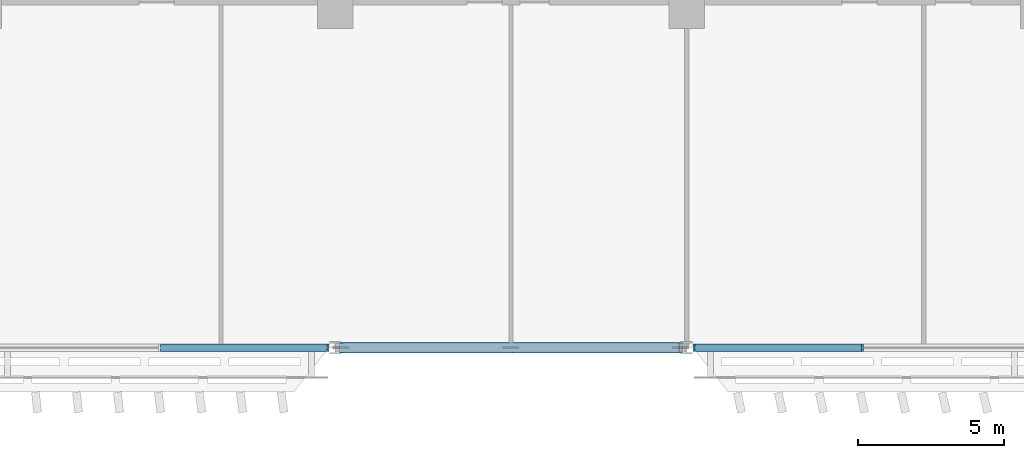
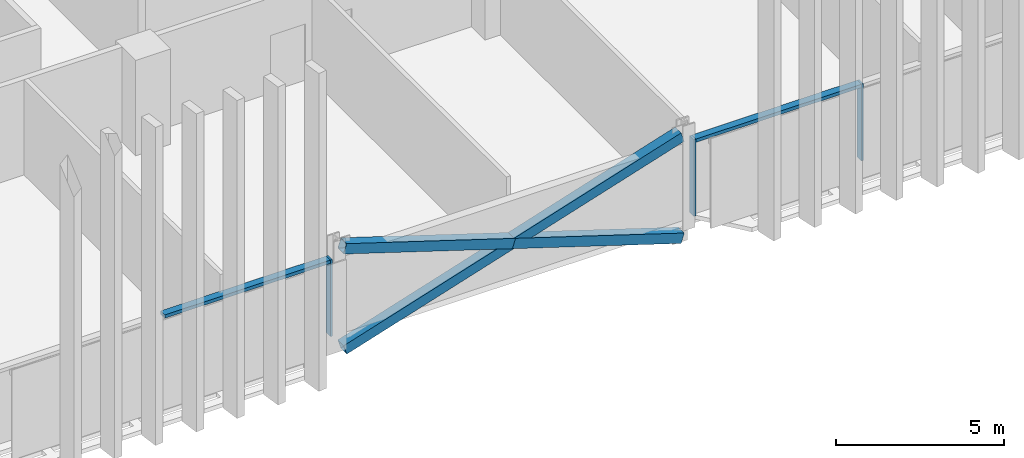
# One storey, part 4 of 30: 8 members, 2 elements without a shape of their own.
"""IFC4 building model written with IfcOpenShell, lengths in metres."""

from ifc_helpers import new_model, si_unit, direction, frame, origin, origin_2d, place, context, subcontext, project, spatial, rectangle, hollow_rectangle, extrude, material, material_profile, profile_set, type_object, element, aggregate, save


model = new_model("IFC4")

# Units and contexts
model_context = context("Model", 3, precision=1e-05, world=origin(), true_north=direction((0.0, 1.0)))
body_context = subcontext(model_context, "Body", "Model", "MODEL_VIEW")
ifc_project = project(units=[si_unit("LENGTHUNIT", "METRE"), si_unit("AREAUNIT", "SQUARE_METRE"), si_unit("VOLUMEUNIT", "CUBIC_METRE"), si_unit("PLANEANGLEUNIT", "RADIAN"), si_unit("MASSUNIT", "GRAM", prefix="KILO")], contexts=[model_context])

# Site, building, storey
site_placement = place(None, origin())
site = spatial("IfcSite", under=ifc_project, at=site_placement, CompositionType="ELEMENT")
building_placement = place(site_placement, origin())
building = spatial("IfcBuilding", under=site, at=building_placement, Name="Mahtab Terrace Research Tower", CompositionType="ELEMENT")
storey_placement = place(building_placement, frame((0.0, 0.0, 159.199951171875)))
storey = spatial("IfcBuildingStorey", under=building, at=storey_placement, Name="L37", CompositionType="ELEMENT", Elevation=159.199951171875)

# Members
ifc_material_1 = material(Name="Steel ASTM A500 Gr C", Category="steel")
ifc_material_profile_1 = material_profile(ifc_material_1, hollow_rectangle(XDim=0.355712890625, YDim=0.355712890625, WallThickness=0.015869140625, at=origin_2d()), Name="HSS14X14X5/8")
ifc_profile_set_1 = profile_set([ifc_material_profile_1], Name="Steel ASTM A500 Gr C")
member_type_1 = type_object("IfcMemberType", Name="HSS 14x14x5/8 brace XB141458", PredefinedType="BRACE", material=ifc_profile_set_1)
member_1_placement = place(storey_placement, frame((-5.796875, -23.0, -0.61474609375), z_axis=(0.953341454971, 0.0, 0.301894137463), x_axis=(0.0, 1.0, 0.0)))
element("IfcMember", 1, at=member_1_placement, inside=storey, type_object=member_type_1, Name="Exoskeleton brace L37 15 a", PredefinedType="BRACE", context=body_context, shape_type="SweptSolid", body=[
    extrude(hollow_rectangle(XDim=0.355712890625, YDim=0.355712890625, WallThickness=0.015869140625, at=origin_2d()), origin(), (0.0, 0.0, 1.0), 12.1611328125),
])
for number, where, z_axis, x_axis, name in (
    (2, (5.796875, -23.0, -0.61474609375), (-0.953341454971, 0.0, 0.301894137463), (0.0, -1.0, 0.0), "Exoskeleton brace L37 15 b1"),
    (3, (0.0, -23.0, 1.220947265625), (-0.953341454971, 0.0, 0.301894137463), (0.0, -1.0, 0.0), "Exoskeleton brace L37 15 b2"),
):
    element("IfcMember", number, at=place(storey_placement, frame(where, z_axis=z_axis, x_axis=x_axis)), inside=storey, type_object=member_type_1, Name=name, PredefinedType="BRACE", context=body_context, shape_type="SweptSolid", body=[
        extrude(hollow_rectangle(XDim=0.355712890625, YDim=0.355712890625, WallThickness=0.015869140625, at=origin_2d()), origin(), (0.0, 0.0, 1.0), 6.08056640625),
    ])

# Curtain wall, member
ifc_material_2 = material(Name="Sky lounge full-height curtain wall")
curtain_wall_type = type_object("IfcCurtainWallType", Name="Sky lounge full-height curtain wall", PredefinedType="NOTDEFINED", material=ifc_material_2)
curtain_wall_1_placement = place(storey_placement, origin())
curtain_wall_1 = element("IfcCurtainWall", 4, at=curtain_wall_1_placement, inside=storey, type_object=curtain_wall_type, Name="EN.L37.13.25", PredefinedType="NOTDEFINED")
ifc_material_3 = material(Name="Natural anodised aluminium", Category="aluminium")
ifc_material_profile_2 = material_profile(ifc_material_3, rectangle(XDim=0.25, YDim=0.070068359375, at=origin_2d()), Name="MULLION 70x250")
ifc_profile_set_2 = profile_set([ifc_material_profile_2], Name="Natural anodised aluminium")
member_type_2 = type_object("IfcMemberType", Name="Sky lounge full-height curtain wall mullion", PredefinedType="MULLION", material=ifc_profile_set_2)
member_2_placement = place(storey_placement, frame((-6.242919921875, -23.0, 0.0), z_axis=(0.0, 0.0, 1.0), x_axis=(0.0, 1.0, 0.0)))
member_2 = element("IfcMember", 5, at=member_2_placement, type_object=member_type_2, Name="CWS-5 mullion 3", PredefinedType="MULLION", context=body_context, shape_type="SweptSolid", body=[
    extrude(rectangle(XDim=0.25, YDim=0.070068359375, at=origin_2d()), origin(), (0.0, 0.0, 1.0), 2.78173828125),
])

# Curtain wall, members
curtain_wall_2_placement = place(storey_placement, origin())
curtain_wall_2 = element("IfcCurtainWall", 6, at=curtain_wall_2_placement, inside=storey, type_object=curtain_wall_type, Name="EN.L37.13.27", PredefinedType="NOTDEFINED")
member_3_placement = place(storey_placement, frame((6.242919921875, -23.0, 0.0), z_axis=(0.0, 0.0, 1.0), x_axis=(0.0, 1.0, 0.0)))
member_3 = element("IfcMember", 7, at=member_3_placement, type_object=member_type_2, Name="CWS-5 mullion 1", PredefinedType="MULLION", context=body_context, shape_type="SweptSolid", body=[
    extrude(rectangle(XDim=0.25, YDim=0.070068359375, at=origin_2d()), origin(), (0.0, 0.0, 1.0), 2.78173828125),
])
member_4_placement = place(storey_placement, frame((12.0, -23.0, 0.0), z_axis=(0.0, 0.0, 1.0), x_axis=(0.0, 1.0, 0.0)))
member_4 = element("IfcMember", 8, at=member_4_placement, type_object=member_type_2, Name="CWS-5 mullion 2", PredefinedType="MULLION", context=body_context, shape_type="SweptSolid", body=[
    extrude(rectangle(XDim=0.25, YDim=0.070068359375, at=origin_2d()), origin(), (0.0, 0.0, 1.0), 2.78173828125),
])

# Member
ifc_material_profile_3 = material_profile(ifc_material_3, rectangle(XDim=0.25, YDim=0.1201171875, at=origin_2d()), Name="TRANSOM 120x250")
ifc_profile_set_3 = profile_set([ifc_material_profile_3], Name="Natural anodised aluminium")
member_type_3 = type_object("IfcMemberType", Name="Sky lounge full-height curtain wall transom", PredefinedType="USERDEFINED", material=ifc_profile_set_3)
member_5_placement = place(storey_placement, frame((-11.965087890625, -23.0, 2.721923828125), z_axis=(1.0, 0.0, 0.0), x_axis=(0.0, 1.0, 0.0)))
member_5 = element("IfcMember", 9, at=member_5_placement, type_object=member_type_3, Name="CWS-5 transom 2", ObjectType="TRANSOM", PredefinedType="USERDEFINED", context=body_context, shape_type="SweptSolid", body=[
    extrude(rectangle(XDim=0.25, YDim=0.1201171875, at=origin_2d()), origin(), (0.0, 0.0, 1.0), 5.68701171875),
])

aggregate(curtain_wall_1, [member_2, member_5])

member_6_placement = place(storey_placement, frame((6.278076171875, -23.0, 2.721923828125), z_axis=(1.0, 0.0, 0.0), x_axis=(0.0, 1.0, 0.0)))
member_6 = element("IfcMember", 10, at=member_6_placement, type_object=member_type_3, Name="CWS-5 transom 1", ObjectType="TRANSOM", PredefinedType="USERDEFINED", context=body_context, shape_type="SweptSolid", body=[
    extrude(rectangle(XDim=0.25, YDim=0.1201171875, at=origin_2d()), origin(), (0.0, 0.0, 1.0), 5.68701171875),
])

aggregate(curtain_wall_2, [member_3, member_4, member_6])

save(model, "model.ifc")
